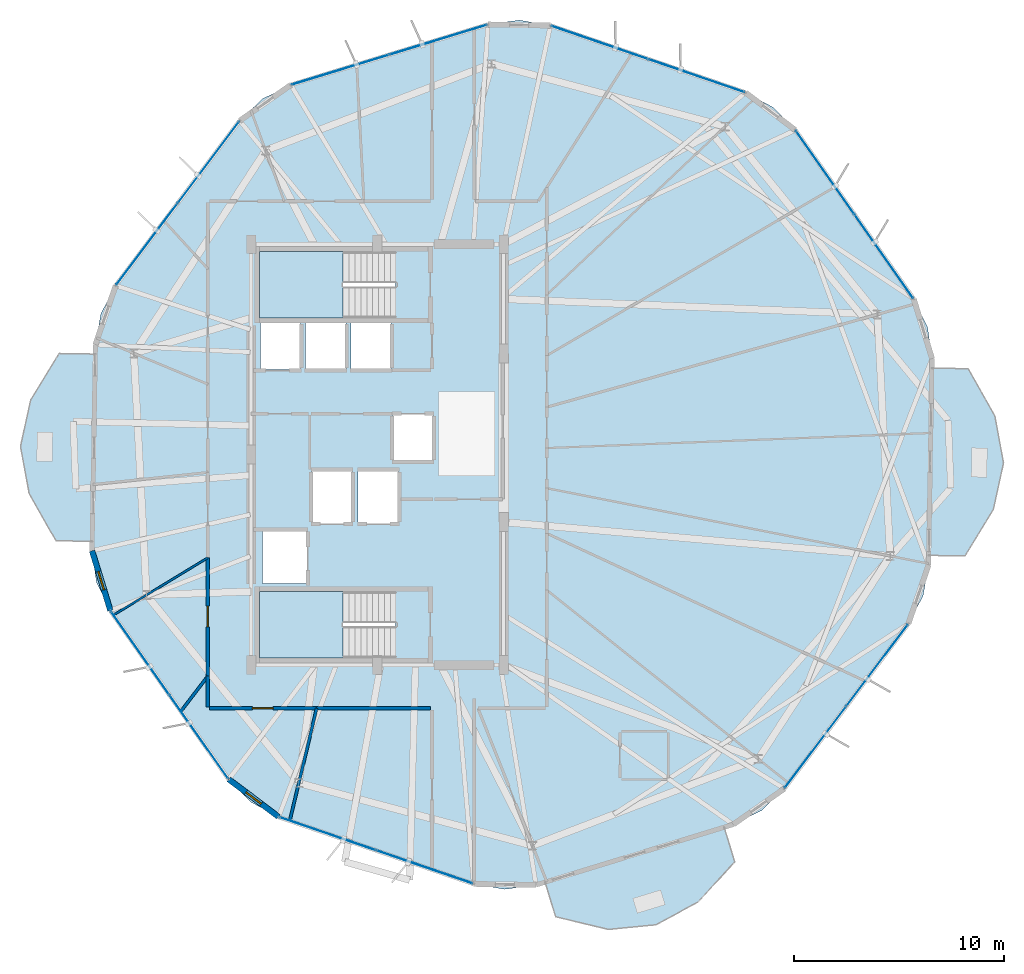
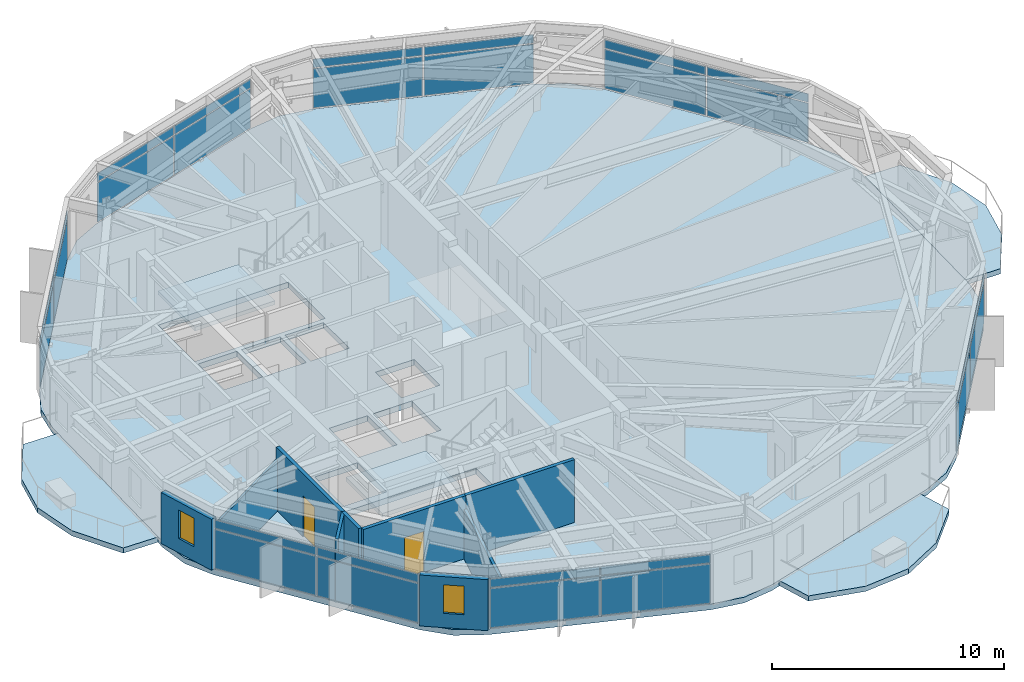
# One storey, part 22 of 29: 28 plates, 9 walls, 6 slabs, 2 doors, 2 windows, 4 openings, 9 elements without a shape of their own.
"""IFC4 building model written with IfcOpenShell, lengths in metres."""

from ifc_helpers import new_model, si_unit, direction, frame, frame_2d, origin, origin_2d, place, context, subcontext, project, spatial, polyline, rectangle, outline, extrude, material, layer, layer_set, type_object, element, fill, aggregate, save


model = new_model("IFC4")

# Units and contexts
model_context = context("Model", 3, precision=1e-05, world=origin(), true_north=direction((0.0, 1.0)))
body_context = subcontext(model_context, "Body", "Model", "MODEL_VIEW")
ifc_project = project(units=[si_unit("LENGTHUNIT", "METRE"), si_unit("AREAUNIT", "SQUARE_METRE"), si_unit("VOLUMEUNIT", "CUBIC_METRE"), si_unit("PLANEANGLEUNIT", "RADIAN"), si_unit("MASSUNIT", "GRAM", prefix="KILO")], contexts=[model_context])

# Site, building, storey
site_placement = place(None, origin())
site = spatial("IfcSite", under=ifc_project, at=site_placement, CompositionType="ELEMENT")
building_placement = place(site_placement, origin())
building = spatial("IfcBuilding", under=site, at=building_placement, Name="Soratama Intermodal Tower", CompositionType="ELEMENT")
storey_placement = place(building_placement, frame((0.0, 0.0, 226.60009765625)))
storey = spatial("IfcBuildingStorey", under=building, at=storey_placement, Name="L57", CompositionType="ELEMENT", Elevation=226.60009765625)

# Curtain wall, plates
ifc_material_1 = material(Name="Double-glazed aluminium curtain wall", Category="aluminium")
ifc_layer_1 = layer(ifc_material_1, 0.159912109375)
ifc_layer_set_1 = layer_set([ifc_layer_1], Name="Double-glazed aluminium curtain wall")
curtain_wall_type = type_object("IfcCurtainWallType", Name="CW-SYS-5", PredefinedType="NOTDEFINED", material=ifc_layer_set_1)
curtain_wall_1_placement = place(storey_placement, origin())
curtain_wall_1 = element("IfcCurtainWall", 1, at=curtain_wall_1_placement, inside=storey, type_object=curtain_wall_type, Name="L57 Faceted Curtain Wall F01", PredefinedType="NOTDEFINED")
ifc_material_2 = material(Name="Low-E laminated double glazing", Category="glass")
ifc_layer_2 = layer(ifc_material_2, 0.02001953125)
ifc_layer_set_2 = layer_set([ifc_layer_2], Name="Low-E laminated double glazing")
plate_type = type_object("IfcPlateType", Name="PT-CWP-5", PredefinedType="CURTAIN_PANEL", material=ifc_layer_set_2)
plate_1_placement = place(storey_placement, frame((53.760498046875, 43.0078125, 0.059814453125), z_axis=(0.0, 0.0, 1.0), x_axis=(-0.945746886218, 0.324904335473, 0.0)))
plate_1 = element("IfcPlate", 2, at=plate_1_placement, type_object=plate_type, Name="CW-5 panel 1.1", PredefinedType="CURTAIN_PANEL", context=body_context, shape_type="SweptSolid", body=[
    extrude(rectangle(XDim=4.808837890625, YDim=0.028076171875, at=origin_2d()), origin(), (0.0, 0.0, 1.0), 2.06005859375),
])
plate_2_placement = place(storey_placement, frame((53.760498046875, 43.0078125, 2.179931640625), z_axis=(0.0, 0.0, 1.0), x_axis=(-0.945746886218, 0.324904335473, 0.0)))
plate_2 = element("IfcPlate", 3, at=plate_2_placement, type_object=plate_type, Name="CW-5 panel 1.2", PredefinedType="CURTAIN_PANEL", context=body_context, shape_type="SweptSolid", body=[
    extrude(rectangle(XDim=4.808837890625, YDim=0.028076171875, at=origin_2d()), origin(), (0.0, 0.0, 1.0), 0.43896484375),
])
plate_3_placement = place(storey_placement, frame((49.156005859375, 44.589599609375, 0.059814453125), z_axis=(0.0, 0.0, 1.0), x_axis=(-0.945746886218, 0.324904335473, 0.0)))
plate_3 = element("IfcPlate", 4, at=plate_3_placement, type_object=plate_type, Name="CW-5 panel 2.1", PredefinedType="CURTAIN_PANEL", context=body_context, shape_type="SweptSolid", body=[
    extrude(rectangle(XDim=4.808837890625, YDim=0.028076171875, at=origin_2d()), origin(), (0.0, 0.0, 1.0), 2.06005859375),
])
plate_4_placement = place(storey_placement, frame((49.156005859375, 44.589599609375, 2.179931640625), z_axis=(0.0, 0.0, 1.0), x_axis=(-0.945746886218, 0.324904335473, 0.0)))
plate_4 = element("IfcPlate", 5, at=plate_4_placement, type_object=plate_type, Name="CW-5 panel 2.2", PredefinedType="CURTAIN_PANEL", context=body_context, shape_type="SweptSolid", body=[
    extrude(rectangle(XDim=4.808837890625, YDim=0.028076171875, at=origin_2d()), origin(), (0.0, 0.0, 1.0), 0.43896484375),
])
aggregate(curtain_wall_1, [plate_1, plate_2, plate_3, plate_4])

curtain_wall_2_placement = place(storey_placement, origin())
curtain_wall_2 = element("IfcCurtainWall", 6, at=curtain_wall_2_placement, inside=storey, type_object=curtain_wall_type, Name="L57 Faceted Curtain Wall F02", PredefinedType="NOTDEFINED")
plate_5_placement = place(storey_placement, frame((41.502685546875, 44.7177734375, 0.059814453125), z_axis=(0.0, 0.0, 1.0), x_axis=(-0.956099971841, -0.293040686331, 0.0)))
plate_5 = element("IfcPlate", 7, at=plate_5_placement, type_object=plate_type, Name="CW-5 panel 1.1", PredefinedType="CURTAIN_PANEL", context=body_context, shape_type="SweptSolid", body=[
    extrude(rectangle(XDim=4.808837890625, YDim=0.028076171875, at=origin_2d()), origin(), (0.0, 0.0, 1.0), 2.06005859375),
])
plate_6_placement = place(storey_placement, frame((41.502685546875, 44.7177734375, 2.179931640625), z_axis=(0.0, 0.0, 1.0), x_axis=(-0.956099971841, -0.293040686331, 0.0)))
plate_6 = element("IfcPlate", 8, at=plate_6_placement, type_object=plate_type, Name="CW-5 panel 1.2", PredefinedType="CURTAIN_PANEL", context=body_context, shape_type="SweptSolid", body=[
    extrude(rectangle(XDim=4.808837890625, YDim=0.028076171875, at=origin_2d()), origin(), (0.0, 0.0, 1.0), 0.43896484375),
])
plate_7_placement = place(storey_placement, frame((36.84765625, 43.291015625, 0.059814453125), z_axis=(0.0, 0.0, 1.0), x_axis=(-0.956099971841, -0.293040686331, 0.0)))
plate_7 = element("IfcPlate", 9, at=plate_7_placement, type_object=plate_type, Name="CW-5 panel 2.1", PredefinedType="CURTAIN_PANEL", context=body_context, shape_type="SweptSolid", body=[
    extrude(rectangle(XDim=4.808837890625, YDim=0.028076171875, at=origin_2d()), origin(), (0.0, 0.0, 1.0), 2.06005859375),
])
plate_8_placement = place(storey_placement, frame((36.84765625, 43.291015625, 2.179931640625), z_axis=(0.0, 0.0, 1.0), x_axis=(-0.956099971841, -0.293040686331, 0.0)))
plate_8 = element("IfcPlate", 10, at=plate_8_placement, type_object=plate_type, Name="CW-5 panel 2.2", PredefinedType="CURTAIN_PANEL", context=body_context, shape_type="SweptSolid", body=[
    extrude(rectangle(XDim=4.808837890625, YDim=0.028076171875, at=origin_2d()), origin(), (0.0, 0.0, 1.0), 0.43896484375),
])
aggregate(curtain_wall_2, [plate_5, plate_6, plate_7, plate_8])

curtain_wall_3_placement = place(storey_placement, origin())
curtain_wall_3 = element("IfcCurtainWall", 11, at=curtain_wall_3_placement, inside=storey, type_object=curtain_wall_type, Name="L57 Faceted Curtain Wall F03", PredefinedType="NOTDEFINED")
plate_9_placement = place(storey_placement, frame((30.580810546875, 38.896484375, 0.059814453125), z_axis=(0.0, 0.0, 1.0), x_axis=(-0.601261585985, -0.799052254373, 0.0)))
plate_9 = element("IfcPlate", 12, at=plate_9_placement, type_object=plate_type, Name="CW-5 panel 1.1", PredefinedType="CURTAIN_PANEL", context=body_context, shape_type="SweptSolid", body=[
    extrude(rectangle(XDim=4.808837890625, YDim=0.028076171875, at=origin_2d()), origin(), (0.0, 0.0, 1.0), 2.06005859375),
])
plate_10_placement = place(storey_placement, frame((30.580810546875, 38.896484375, 2.179931640625), z_axis=(0.0, 0.0, 1.0), x_axis=(-0.601261585985, -0.799052254373, 0.0)))
plate_10 = element("IfcPlate", 13, at=plate_10_placement, type_object=plate_type, Name="CW-5 panel 1.2", PredefinedType="CURTAIN_PANEL", context=body_context, shape_type="SweptSolid", body=[
    extrude(rectangle(XDim=4.808837890625, YDim=0.028076171875, at=origin_2d()), origin(), (0.0, 0.0, 1.0), 0.43896484375),
])
plate_11_placement = place(storey_placement, frame((27.6533203125, 35.006103515625, 0.059814453125), z_axis=(0.0, 0.0, 1.0), x_axis=(-0.601261585985, -0.799052254373, 0.0)))
plate_11 = element("IfcPlate", 14, at=plate_11_placement, type_object=plate_type, Name="CW-5 panel 2.1", PredefinedType="CURTAIN_PANEL", context=body_context, shape_type="SweptSolid", body=[
    extrude(rectangle(XDim=4.808837890625, YDim=0.028076171875, at=origin_2d()), origin(), (0.0, 0.0, 1.0), 2.06005859375),
])
plate_12_placement = place(storey_placement, frame((27.6533203125, 35.006103515625, 2.179931640625), z_axis=(0.0, 0.0, 1.0), x_axis=(-0.601261585985, -0.799052254373, 0.0)))
plate_12 = element("IfcPlate", 15, at=plate_12_placement, type_object=plate_type, Name="CW-5 panel 2.2", PredefinedType="CURTAIN_PANEL", context=body_context, shape_type="SweptSolid", body=[
    extrude(rectangle(XDim=4.808837890625, YDim=0.028076171875, at=origin_2d()), origin(), (0.0, 0.0, 1.0), 0.43896484375),
])
aggregate(curtain_wall_3, [plate_9, plate_10, plate_11, plate_12])

curtain_wall_4_placement = place(storey_placement, origin())
curtain_wall_4 = element("IfcCurtainWall", 16, at=curtain_wall_4_placement, inside=storey, type_object=curtain_wall_type, Name="L57 Faceted Curtain Wall F05", PredefinedType="NOTDEFINED")
plate_13_placement = place(storey_placement, frame((27.327880859375, 15.580810546875, 0.059814453125), z_axis=(0.0, 0.0, 1.0), x_axis=(0.574149886653, -0.818750210782, 0.0)))
plate_13 = element("IfcPlate", 17, at=plate_13_placement, type_object=plate_type, Name="CW-5 panel 1.1", PredefinedType="CURTAIN_PANEL", context=body_context, shape_type="SweptSolid", body=[
    extrude(rectangle(XDim=4.808837890625, YDim=0.028076171875, at=origin_2d()), origin(), (0.0, 0.0, 1.0), 2.06005859375),
])
plate_14_placement = place(storey_placement, frame((27.327880859375, 15.580810546875, 2.179931640625), z_axis=(0.0, 0.0, 1.0), x_axis=(0.574149886653, -0.818750210782, 0.0)))
plate_14 = element("IfcPlate", 18, at=plate_14_placement, type_object=plate_type, Name="CW-5 panel 1.2", PredefinedType="CURTAIN_PANEL", context=body_context, shape_type="SweptSolid", body=[
    extrude(rectangle(XDim=4.808837890625, YDim=0.028076171875, at=origin_2d()), origin(), (0.0, 0.0, 1.0), 0.43896484375),
])
plate_15_placement = place(storey_placement, frame((30.123291015625, 11.594482421875, 0.059814453125), z_axis=(0.0, 0.0, 1.0), x_axis=(0.574149886653, -0.818750210782, 0.0)))
plate_15 = element("IfcPlate", 19, at=plate_15_placement, type_object=plate_type, Name="CW-5 panel 2.1", PredefinedType="CURTAIN_PANEL", context=body_context, shape_type="SweptSolid", body=[
    extrude(rectangle(XDim=4.808837890625, YDim=0.028076171875, at=origin_2d()), origin(), (0.0, 0.0, 1.0), 2.06005859375),
])
plate_16_placement = place(storey_placement, frame((30.123291015625, 11.594482421875, 2.179931640625), z_axis=(0.0, 0.0, 1.0), x_axis=(0.574149886653, -0.818750210782, 0.0)))
plate_16 = element("IfcPlate", 20, at=plate_16_placement, type_object=plate_type, Name="CW-5 panel 2.2", PredefinedType="CURTAIN_PANEL", context=body_context, shape_type="SweptSolid", body=[
    extrude(rectangle(XDim=4.808837890625, YDim=0.028076171875, at=origin_2d()), origin(), (0.0, 0.0, 1.0), 0.43896484375),
])
aggregate(curtain_wall_4, [plate_13, plate_14, plate_15, plate_16])

curtain_wall_5_placement = place(storey_placement, origin())
curtain_wall_5 = element("IfcCurtainWall", 21, at=curtain_wall_5_placement, inside=storey, type_object=curtain_wall_type, Name="L57 Faceted Curtain Wall F06", PredefinedType="NOTDEFINED")
plate_17_placement = place(storey_placement, frame((36.239501953125, 6.9921875, 0.059814453125), z_axis=(0.0, 0.0, 1.0), x_axis=(0.945746886218, -0.324904335473, 0.0)))
plate_17 = element("IfcPlate", 22, at=plate_17_placement, type_object=plate_type, Name="CW-5 panel 1.1", PredefinedType="CURTAIN_PANEL", context=body_context, shape_type="SweptSolid", body=[
    extrude(rectangle(XDim=4.808837890625, YDim=0.028076171875, at=origin_2d()), origin(), (0.0, 0.0, 1.0), 2.06005859375),
])
plate_18_placement = place(storey_placement, frame((36.239501953125, 6.9921875, 2.179931640625), z_axis=(0.0, 0.0, 1.0), x_axis=(0.945746886218, -0.324904335473, 0.0)))
plate_18 = element("IfcPlate", 23, at=plate_18_placement, type_object=plate_type, Name="CW-5 panel 1.2", PredefinedType="CURTAIN_PANEL", context=body_context, shape_type="SweptSolid", body=[
    extrude(rectangle(XDim=4.808837890625, YDim=0.028076171875, at=origin_2d()), origin(), (0.0, 0.0, 1.0), 0.43896484375),
])
plate_19_placement = place(storey_placement, frame((40.843994140625, 5.410400390625, 0.059814453125), z_axis=(0.0, 0.0, 1.0), x_axis=(0.945746886218, -0.324904335473, 0.0)))
plate_19 = element("IfcPlate", 24, at=plate_19_placement, type_object=plate_type, Name="CW-5 panel 2.1", PredefinedType="CURTAIN_PANEL", context=body_context, shape_type="SweptSolid", body=[
    extrude(rectangle(XDim=4.808837890625, YDim=0.028076171875, at=origin_2d()), origin(), (0.0, 0.0, 1.0), 2.06005859375),
])
plate_20_placement = place(storey_placement, frame((40.843994140625, 5.410400390625, 2.179931640625), z_axis=(0.0, 0.0, 1.0), x_axis=(0.945746886218, -0.324904335473, 0.0)))
plate_20 = element("IfcPlate", 25, at=plate_20_placement, type_object=plate_type, Name="CW-5 panel 2.2", PredefinedType="CURTAIN_PANEL", context=body_context, shape_type="SweptSolid", body=[
    extrude(rectangle(XDim=4.808837890625, YDim=0.028076171875, at=origin_2d()), origin(), (0.0, 0.0, 1.0), 0.43896484375),
])
aggregate(curtain_wall_5, [plate_17, plate_18, plate_19, plate_20])

curtain_wall_6_placement = place(storey_placement, origin())
curtain_wall_6 = element("IfcCurtainWall", 26, at=curtain_wall_6_placement, inside=storey, type_object=curtain_wall_type, Name="L57 Faceted Curtain Wall F08", PredefinedType="NOTDEFINED")
plate_21_placement = place(storey_placement, frame((59.419189453125, 11.103515625, 0.059814453125), z_axis=(0.0, 0.0, 1.0), x_axis=(0.601261585985, 0.799052254373, 0.0)))
plate_21 = element("IfcPlate", 27, at=plate_21_placement, type_object=plate_type, Name="CW-5 panel 1.1", PredefinedType="CURTAIN_PANEL", context=body_context, shape_type="SweptSolid", body=[
    extrude(rectangle(XDim=4.808837890625, YDim=0.028076171875, at=origin_2d()), origin(), (0.0, 0.0, 1.0), 2.06005859375),
])
plate_22_placement = place(storey_placement, frame((59.419189453125, 11.103515625, 2.179931640625), z_axis=(0.0, 0.0, 1.0), x_axis=(0.601261585985, 0.799052254373, 0.0)))
plate_22 = element("IfcPlate", 28, at=plate_22_placement, type_object=plate_type, Name="CW-5 panel 1.2", PredefinedType="CURTAIN_PANEL", context=body_context, shape_type="SweptSolid", body=[
    extrude(rectangle(XDim=4.808837890625, YDim=0.028076171875, at=origin_2d()), origin(), (0.0, 0.0, 1.0), 0.43896484375),
])
plate_23_placement = place(storey_placement, frame((62.3466796875, 14.993896484375, 0.059814453125), z_axis=(0.0, 0.0, 1.0), x_axis=(0.601261585985, 0.799052254373, 0.0)))
plate_23 = element("IfcPlate", 29, at=plate_23_placement, type_object=plate_type, Name="CW-5 panel 2.1", PredefinedType="CURTAIN_PANEL", context=body_context, shape_type="SweptSolid", body=[
    extrude(rectangle(XDim=4.808837890625, YDim=0.028076171875, at=origin_2d()), origin(), (0.0, 0.0, 1.0), 2.06005859375),
])
plate_24_placement = place(storey_placement, frame((62.3466796875, 14.993896484375, 2.179931640625), z_axis=(0.0, 0.0, 1.0), x_axis=(0.601261585985, 0.799052254373, 0.0)))
plate_24 = element("IfcPlate", 30, at=plate_24_placement, type_object=plate_type, Name="CW-5 panel 2.2", PredefinedType="CURTAIN_PANEL", context=body_context, shape_type="SweptSolid", body=[
    extrude(rectangle(XDim=4.808837890625, YDim=0.028076171875, at=origin_2d()), origin(), (0.0, 0.0, 1.0), 0.43896484375),
])
aggregate(curtain_wall_6, [plate_21, plate_22, plate_23, plate_24])

curtain_wall_7_placement = place(storey_placement, origin())
curtain_wall_7 = element("IfcCurtainWall", 31, at=curtain_wall_7_placement, inside=storey, type_object=curtain_wall_type, Name="L57 Faceted Curtain Wall F10", PredefinedType="NOTDEFINED")
plate_25_placement = place(storey_placement, frame((62.672119140625, 34.419189453125, 0.059814453125), z_axis=(0.0, 0.0, 1.0), x_axis=(-0.574149886653, 0.818750210782, 0.0)))
plate_25 = element("IfcPlate", 32, at=plate_25_placement, type_object=plate_type, Name="CW-5 panel 1.1", PredefinedType="CURTAIN_PANEL", context=body_context, shape_type="SweptSolid", body=[
    extrude(rectangle(XDim=4.808837890625, YDim=0.028076171875, at=origin_2d()), origin(), (0.0, 0.0, 1.0), 2.06005859375),
])
plate_26_placement = place(storey_placement, frame((62.672119140625, 34.419189453125, 2.179931640625), z_axis=(0.0, 0.0, 1.0), x_axis=(-0.574149886653, 0.818750210782, 0.0)))
plate_26 = element("IfcPlate", 33, at=plate_26_placement, type_object=plate_type, Name="CW-5 panel 1.2", PredefinedType="CURTAIN_PANEL", context=body_context, shape_type="SweptSolid", body=[
    extrude(rectangle(XDim=4.808837890625, YDim=0.028076171875, at=origin_2d()), origin(), (0.0, 0.0, 1.0), 0.43896484375),
])
plate_27_placement = place(storey_placement, frame((59.876708984375, 38.405517578125, 0.059814453125), z_axis=(0.0, 0.0, 1.0), x_axis=(-0.574149886653, 0.818750210782, 0.0)))
plate_27 = element("IfcPlate", 34, at=plate_27_placement, type_object=plate_type, Name="CW-5 panel 2.1", PredefinedType="CURTAIN_PANEL", context=body_context, shape_type="SweptSolid", body=[
    extrude(rectangle(XDim=4.808837890625, YDim=0.028076171875, at=origin_2d()), origin(), (0.0, 0.0, 1.0), 2.06005859375),
])
plate_28_placement = place(storey_placement, frame((59.876708984375, 38.405517578125, 2.179931640625), z_axis=(0.0, 0.0, 1.0), x_axis=(-0.574149886653, 0.818750210782, 0.0)))
plate_28 = element("IfcPlate", 35, at=plate_28_placement, type_object=plate_type, Name="CW-5 panel 2.2", PredefinedType="CURTAIN_PANEL", context=body_context, shape_type="SweptSolid", body=[
    extrude(rectangle(XDim=4.808837890625, YDim=0.028076171875, at=origin_2d()), origin(), (0.0, 0.0, 1.0), 0.43896484375),
])
aggregate(curtain_wall_7, [plate_25, plate_26, plate_27, plate_28])

# Slabs
ifc_material_3 = material(Name="Concrete f'c 42 MPa", Category="concrete")
ifc_layer_3 = layer(ifc_material_3, 0.27001953125)
ifc_layer_set_3 = layer_set([ifc_layer_3], Name="Concrete f'c 42 MPa")
slab_type_1 = type_object("IfcSlabType", Name="SL-EXT-BAL1", PredefinedType="FLOOR", material=ifc_layer_set_3)
slab_1_placement = place(storey_placement, frame((0.0, 0.0, -0.27001953125)))
element("IfcSlab", 36, at=slab_1_placement, inside=storey, type_object=slab_type_1, Name="L57 Planted Balcony East 1", PredefinedType="FLOOR", context=body_context, shape_type="SweptSolid", body=[
    extrude(outline(polyline([(64.7998046875, 20.21875), (64.948974609375, 29.115234375), (66.668701171875, 29.086181640625), (67.942138671875, 26.84033203125), (68.353759765625, 24.608642578125), (67.867431640625, 22.39208984375), (66.51953125, 20.18994140625), (64.7998046875, 20.21875)])), origin(), (0.0, 0.0, 1.0), 0.27001953125),
])
slab_2_placement = place(storey_placement, frame((0.0, 0.0, -0.27001953125)))
element("IfcSlab", 37, at=slab_2_placement, inside=storey, type_object=slab_type_1, Name="L57 Planted Balcony West 2", PredefinedType="FLOOR", context=body_context, shape_type="SweptSolid", body=[
    extrude(outline(polyline([(25.2001953125, 29.78125), (25.051025390625, 20.884765625), (23.331298828125, 20.913818359375), (22.057861328125, 23.15966796875), (21.646240234375, 25.391357421875), (22.132568359375, 27.60791015625), (23.48046875, 29.81005859375), (25.2001953125, 29.78125)])), origin(), (0.0, 0.0, 1.0), 0.27001953125),
])
slab_3_placement = place(storey_placement, frame((0.0, 0.0, -0.27001953125)))
element("IfcSlab", 38, at=slab_3_placement, inside=storey, type_object=slab_type_1, Name="L57 Planted Balcony South 3", PredefinedType="FLOOR", context=body_context, shape_type="SweptSolid", body=[
    extrude(outline(polyline([(46.5712890625, 4.69189453125), (55.078369140625, 7.29931640625), (55.582275390625, 5.65478515625), (53.839599609375, 3.74951171875), (51.844482421875, 2.668212890625), (49.586181640625, 2.44580078125), (47.0751953125, 3.04736328125), (46.5712890625, 4.69189453125)])), origin(), (0.0, 0.0, 1.0), 0.27001953125),
])

# Stair, slab
ifc_material_4 = material(Name="Concrete f'c 42 MPa", Category="concrete")
stair_type = type_object("IfcStairType", Name="ST-CORE-DOGLEG", PredefinedType="HALF_TURN_STAIR", material=ifc_material_4)
stair_1_placement = place(storey_placement, origin())
stair_1 = element("IfcStair", 39, at=stair_1_placement, inside=storey, type_object=stair_type, Name="L57 ST-1", PredefinedType="HALF_TURN_STAIR")
ifc_material_5 = material(Name="Concrete f'c 42 MPa", Category="concrete")
ifc_layer_4 = layer(ifc_material_5, 0.219970703125)
ifc_layer_set_4 = layer_set([ifc_layer_4], Name="Concrete f'c 42 MPa")
slab_type_2 = type_object("IfcSlabType", Name="SL-STAIR-LAND", PredefinedType="LANDING", material=ifc_layer_set_4)
slab_4_placement = place(storey_placement, frame((0.0, 0.0, 1.599853515625)))
slab_4 = element("IfcSlab", 40, at=slab_4_placement, type_object=slab_type_2, Name="ST-1 landing 1", PredefinedType="LANDING", context=body_context, shape_type="SweptSolid", body=[
    extrude(outline(polyline([(36.97998046875, 18.5), (33.0, 18.5), (33.0, 15.35009765625), (36.97998046875, 15.35009765625), (36.97998046875, 18.5)])), origin(), (0.0, 0.0, 1.0), 0.199951171875),
])
aggregate(stair_1, [slab_4])

stair_2_placement = place(storey_placement, origin())
stair_2 = element("IfcStair", 41, at=stair_2_placement, inside=storey, type_object=stair_type, Name="L57 ST-2", PredefinedType="HALF_TURN_STAIR")
slab_5_placement = place(storey_placement, frame((0.0, 0.0, 1.599853515625)))
slab_5 = element("IfcSlab", 42, at=slab_5_placement, type_object=slab_type_2, Name="ST-2 landing 1", PredefinedType="LANDING", context=body_context, shape_type="SweptSolid", body=[
    extrude(outline(polyline([(36.97998046875, 34.64990234375), (33.0, 34.64990234375), (33.0, 31.5), (36.97998046875, 31.5), (36.97998046875, 34.64990234375)])), origin(), (0.0, 0.0, 1.0), 0.199951171875),
])
aggregate(stair_2, [slab_5])

# Slab
ifc_material_6 = material(Name="Concrete f'c 42 MPa", Category="concrete")
ifc_layer_5 = layer(ifc_material_6, 0.280029296875)
ifc_layer_set_5 = layer_set([ifc_layer_5], Name="Concrete f'c 42 MPa")
slab_type_3 = type_object("IfcSlabType", Name="SL-TWR-280", PredefinedType="FLOOR", material=ifc_layer_set_5)
slab_6_placement = place(storey_placement, frame((0.0, 0.0, -0.300048828125)))
element("IfcSlab", 43, at=slab_6_placement, inside=storey, type_object=slab_type_3, Name="L57 Structural Floor Slab", PredefinedType="FLOOR", context=body_context, shape_type="SweptSolid", body=[
    extrude(outline(polyline([(58.461669921875, 40.42333984375), (57.417724609375, 41.5029296875), (56.09130859375, 42.20703125), (46.8251953125, 45.390380859375), (45.345947265625, 45.650146484375), (43.85888671875, 45.43994140625), (34.491455078125, 42.56884765625), (33.14208984375, 41.90966796875), (32.0625, 40.86572265625), (26.171630859375, 33.036865234375), (25.467529296875, 31.710205078125), (25.207763671875, 30.231201171875), (25.043701171875, 20.434814453125), (25.253662109375, 18.947998046875), (25.9130859375, 17.598388671875), (31.538330078125, 9.57666015625), (32.582275390625, 8.4970703125), (33.90869140625, 7.79296875), (43.1748046875, 4.609619140625), (44.654052734375, 4.349853515625), (46.14111328125, 4.56005859375), (55.508544921875, 7.43115234375), (56.85791015625, 8.09033203125), (57.9375, 9.13427734375), (63.828369140625, 16.963134765625), (64.532470703125, 18.289794921875), (64.792236328125, 19.768798828125), (64.956298828125, 29.565185546875), (64.746337890625, 31.052001953125), (64.0869140625, 32.401611328125), (58.461669921875, 40.42333984375)]), holes=[polyline([(33.0, 18.5), (33.0, 15.35009765625), (39.47509765625, 15.35009765625), (39.47509765625, 18.5), (33.0, 18.5)]), polyline([(35.260009765625, 21.409912109375), (33.139892578125, 21.409912109375), (33.139892578125, 18.889892578125), (35.260009765625, 18.889892578125), (35.260009765625, 21.409912109375)]), polyline([(37.409912109375, 24.260009765625), (35.489990234375, 24.260009765625), (35.489990234375, 21.739990234375), (37.409912109375, 21.739990234375), (37.409912109375, 24.260009765625)]), polyline([(39.610107421875, 24.260009765625), (37.68994140625, 24.260009765625), (37.68994140625, 21.739990234375), (39.610107421875, 21.739990234375), (39.610107421875, 24.260009765625)]), polyline([(41.260009765625, 26.909912109375), (39.340087890625, 26.909912109375), (39.340087890625, 24.68994140625), (41.260009765625, 24.68994140625), (41.260009765625, 26.909912109375)]), polyline([(34.9599609375, 31.260009765625), (33.0400390625, 31.260009765625), (33.0400390625, 29.0400390625), (34.9599609375, 29.0400390625), (34.9599609375, 31.260009765625)]), polyline([(37.110107421875, 31.260009765625), (35.18994140625, 31.260009765625), (35.18994140625, 29.0400390625), (37.110107421875, 29.0400390625), (37.110107421875, 31.260009765625)]), polyline([(39.260009765625, 29.0400390625), (39.260009765625, 31.260009765625), (37.340087890625, 31.260009765625), (37.340087890625, 29.0400390625), (39.260009765625, 29.0400390625)]), polyline([(39.47509765625, 34.64990234375), (33.0, 34.64990234375), (33.0, 31.5), (39.47509765625, 31.5), (39.47509765625, 34.64990234375)])]), origin(), (0.0, 0.0, 1.0), 0.300048828125),
])

# Wall, opening, window
ifc_material_7 = material(Name="Concrete f'c 42 MPa", Category="concrete")
ifc_layer_6 = layer(ifc_material_7, 0.27001953125)
ifc_layer_set_6 = layer_set([ifc_layer_6], Name="Concrete f'c 42 MPa")
wall_type_1 = type_object("IfcWallType", Name="EW-CRN-270", PredefinedType="SOLIDWALL", material=ifc_layer_set_6)
wall_1_placement = place(storey_placement, frame((25.043701171875, 20.434814453125, 0.0), z_axis=(0.0, 0.0, 1.0), x_axis=(0.293050545602, -0.95609694996, 0.0)))
wall_1 = element("IfcWall", 44, at=wall_1_placement, inside=storey, type_object=wall_type_1, Name="L57 Corner Closure Wall 04", PredefinedType="SOLIDWALL", context=body_context, shape_type="SweptSolid", body=[
    extrude(rectangle(XDim=2.966552734375, YDim=0.27001953125, at=frame_2d((1.4833984375, 0.0))), origin(), (0.0, 0.0, 1.0), 2.678955078125),
])
opening_1_placement = place(wall_1_placement, frame((1.033203125, 0.0, 0.75)))
opening_1 = element("IfcOpeningElement", 45, at=opening_1_placement, cuts=wall_1, Name="Opening WN-6", PredefinedType="OPENING", context=body_context, shape_type="SweptSolid", body=[
    extrude(rectangle(XDim=0.89990234375, YDim=1.5, at=frame_2d((0.449951171875, 0.75))), frame((0.0, 0.14501953125, 0.0), z_axis=(0.0, -1.0, 0.0), x_axis=(1.0, 0.0, 0.0)), (0.0, 0.0, 1.0), 0.2900390625),
])
ifc_material_8 = material(Name="Double-glazed aluminium window", Category="aluminium")
window_type = type_object("IfcWindowType", Name="WN-FAC-900", PartitioningType="SINGLE_PANEL", PredefinedType="WINDOW", material=ifc_material_8)
window_1_placement = place(opening_1_placement, origin())
window_1 = element("IfcWindow", 46, at=window_1_placement, inside=storey, type_object=window_type, Name="L57 Corner Window 04", OverallHeight=1.5, OverallWidth=0.89990234375, PartitioningType="SINGLE_PANEL", PredefinedType="WINDOW", context=body_context, shape_type="SweptSolid", body=[
    extrude(rectangle(XDim=0.89990234375, YDim=1.5, at=frame_2d((0.449951171875, 0.75))), frame((0.0, 0.030029296875, 0.0), z_axis=(0.0, -1.0, 0.0), x_axis=(1.0, 0.0, 0.0)), (0.0, 0.0, 1.0), 0.06005859375),
])
fill(opening_1, window_1)

wall_2_placement = place(storey_placement, frame((31.538330078125, 9.57666015625, 0.0), z_axis=(0.0, 0.0, 1.0), x_axis=(0.799041019951, -0.601276515786, 0.0)))
wall_2 = element("IfcWall", 47, at=wall_2_placement, inside=storey, type_object=wall_type_1, Name="L57 Corner Closure Wall 05", PredefinedType="SOLIDWALL", context=body_context, shape_type="SweptSolid", body=[
    extrude(rectangle(XDim=2.966552734375, YDim=0.27001953125, at=frame_2d((1.4833984375, 0.0))), origin(), (0.0, 0.0, 1.0), 2.678955078125),
])
opening_2_placement = place(wall_2_placement, frame((1.033203125, 0.0, 0.75)))
opening_2 = element("IfcOpeningElement", 48, at=opening_2_placement, cuts=wall_2, Name="Opening WN-6", PredefinedType="OPENING", context=body_context, shape_type="SweptSolid", body=[
    extrude(rectangle(XDim=0.89990234375, YDim=1.5, at=frame_2d((0.449951171875, 0.75))), frame((0.0, 0.14501953125, 0.0), z_axis=(0.0, -1.0, 0.0), x_axis=(1.0, 0.0, 0.0)), (0.0, 0.0, 1.0), 0.2900390625),
])
window_2_placement = place(opening_2_placement, origin())
window_2 = element("IfcWindow", 49, at=window_2_placement, inside=storey, type_object=window_type, Name="L57 Corner Window 05", OverallHeight=1.5, OverallWidth=0.89990234375, PartitioningType="SINGLE_PANEL", PredefinedType="WINDOW", context=body_context, shape_type="SweptSolid", body=[
    extrude(rectangle(XDim=0.89990234375, YDim=1.5, at=frame_2d((0.449951171875, 0.75))), frame((0.0, 0.030029296875, 0.0), z_axis=(0.0, -1.0, 0.0), x_axis=(1.0, 0.0, 0.0)), (0.0, 0.0, 1.0), 0.06005859375),
])
fill(opening_2, window_2)

# Wall, opening, door
ifc_material_9 = material(Name="Fire-rated gypsum stud partition", Category="concrete")
ifc_layer_7 = layer(ifc_material_9, 0.169921875)
ifc_layer_set_7 = layer_set([ifc_layer_7], Name="Fire-rated gypsum stud partition")
wall_type_2 = type_object("IfcWallType", Name="IW-PART-R170", PredefinedType="PARTITIONING", material=ifc_layer_set_7)
wall_3_placement = place(storey_placement, frame((30.550048828125, 14.485107421875, 0.0), z_axis=(0.0, 0.0, 1.0), x_axis=(0.0, 1.0, 0.0)))
wall_3 = element("IfcWall", 50, at=wall_3_placement, inside=storey, type_object=wall_type_2, Name="L57 Partition W-L57-TP016", PredefinedType="PARTITIONING", context=body_context, shape_type="SweptSolid", body=[
    extrude(rectangle(XDim=5.620849609375, YDim=0.169921875, at=frame_2d((2.810546875, 0.0))), origin(), (0.0, 0.0, 1.0), 3.2998046875),
])
opening_3_placement = place(wall_3_placement, frame((2.3359375, 0.0, 0.0)))
opening_3 = element("IfcOpeningElement", 51, at=opening_3_placement, cuts=wall_3, Name="Opening ID-5", PredefinedType="OPENING", context=body_context, shape_type="SweptSolid", body=[
    extrude(rectangle(XDim=0.97998046875, YDim=2.14990234375, at=frame_2d((0.489990234375, 1.074951171875))), frame((0.0, 0.094970703125, 0.0), z_axis=(0.0, -1.0, 0.0), x_axis=(1.0, 0.0, 0.0)), (0.0, 0.0, 1.0), 0.18994140625),
])
ifc_material_10 = material(Name="Solid hardwood acoustic door", Category="wood")
door_type = type_object("IfcDoorType", Name="DR-OFF-980", OperationType="NOTDEFINED", PredefinedType="DOOR", material=ifc_material_10)
door_1_placement = place(opening_3_placement, origin())
door_1 = element("IfcDoor", 52, at=door_1_placement, inside=storey, type_object=door_type, Name="L57 Door D-L57-TP005", OperationType="SINGLE_SWING_RIGHT", OverallHeight=2.14990234375, OverallWidth=0.97998046875, PredefinedType="DOOR", context=body_context, shape_type="SweptSolid", body=[
    extrude(rectangle(XDim=0.97998046875, YDim=2.14990234375, at=frame_2d((0.489990234375, 1.074951171875))), frame((0.0, 0.02490234375, 0.0), z_axis=(0.0, -1.0, 0.0), x_axis=(1.0, 0.0, 0.0)), (0.0, 0.0, 1.0), 0.050048828125),
])
fill(opening_3, door_1)

# Wall
wall_4_placement = place(storey_placement, frame((41.1298828125, 12.949951171875, 0.0), z_axis=(0.0, 0.0, 1.0), x_axis=(-1.0, 0.0, 0.0)))
element("IfcWall", 53, at=wall_4_placement, inside=storey, type_object=wall_type_2, Name="L57 Partition W-L57-TP021", PredefinedType="PARTITIONING", context=body_context, shape_type="SweptSolid", body=[
    extrude(rectangle(XDim=5.410888671875, YDim=0.169921875, at=frame_2d((2.70556640625, 0.0))), origin(), (0.0, 0.0, 1.0), 3.2998046875),
])

# Wall, opening, door
wall_5_placement = place(storey_placement, frame((35.718994140625, 12.949951171875, 0.0), z_axis=(0.0, 0.0, 1.0), x_axis=(-1.0, 0.0, 0.0)))
wall_5 = element("IfcWall", 54, at=wall_5_placement, inside=storey, type_object=wall_type_2, Name="L57 Partition W-L57-TP023", PredefinedType="PARTITIONING", context=body_context, shape_type="SweptSolid", body=[
    extrude(rectangle(XDim=5.098876953125, YDim=0.169921875, at=frame_2d((2.54931640625, 0.0))), origin(), (0.0, 0.0, 1.0), 3.2998046875),
])
opening_4_placement = place(wall_5_placement, frame((2.074951171875, 0.0, 0.0)))
opening_4 = element("IfcOpeningElement", 55, at=opening_4_placement, cuts=wall_5, Name="Opening ID-5", PredefinedType="OPENING", context=body_context, shape_type="SweptSolid", body=[
    extrude(rectangle(XDim=0.97998046875, YDim=2.14990234375, at=frame_2d((0.489990234375, 1.074951171875))), frame((0.0, 0.094970703125, 0.0), z_axis=(0.0, -1.0, 0.0), x_axis=(1.0, 0.0, 0.0)), (0.0, 0.0, 1.0), 0.18994140625),
])
door_2_placement = place(opening_4_placement, origin())
door_2 = element("IfcDoor", 56, at=door_2_placement, inside=storey, type_object=door_type, Name="L57 Door D-L57-TP008", OperationType="SINGLE_SWING_LEFT", OverallHeight=2.14990234375, OverallWidth=0.97998046875, PredefinedType="DOOR", context=body_context, shape_type="SweptSolid", body=[
    extrude(rectangle(XDim=0.97998046875, YDim=2.14990234375, at=frame_2d((0.489990234375, 1.074951171875))), frame((0.0, 0.02490234375, 0.0), z_axis=(0.0, -1.0, 0.0), x_axis=(1.0, 0.0, 0.0)), (0.0, 0.0, 1.0), 0.050048828125),
])
fill(opening_4, door_2)

# Walls
wall_6_placement = place(storey_placement, frame((30.550048828125, 13.02001953125, 0.0), z_axis=(0.0, 0.0, 1.0), x_axis=(0.0, 1.0, 0.0)))
element("IfcWall", 57, at=wall_6_placement, inside=storey, type_object=wall_type_2, Name="L57 Partition W-L57-TP053", PredefinedType="PARTITIONING", context=body_context, shape_type="SweptSolid", body=[
    extrude(rectangle(XDim=1.465087890625, YDim=0.169921875, at=frame_2d((0.732421875, 0.0))), origin(), (0.0, 0.0, 1.0), 3.2998046875),
])
ifc_material_11 = material(Name="Fire-rated gypsum stud partition", Category="concrete")
ifc_layer_8 = layer(ifc_material_11, 0.10009765625)
ifc_layer_set_8 = layer_set([ifc_layer_8], Name="Fire-rated gypsum stud partition")
wall_type_3 = type_object("IfcWallType", Name="IW-PART-S100", PredefinedType="PARTITIONING", material=ifc_layer_set_8)
wall_7_placement = place(storey_placement, frame((30.550048828125, 20.10595703125, 0.0), z_axis=(0.0, 0.0, 1.0), x_axis=(-0.854589153775, -0.519304706554, 0.0)))
element("IfcWall", 58, at=wall_7_placement, inside=storey, type_object=wall_type_3, Name="L57 Partition W-L57-TP022", PredefinedType="PARTITIONING", context=body_context, shape_type="SweptSolid", body=[
    extrude(rectangle(XDim=5.2470703125, YDim=0.10009765625, at=frame_2d((2.62353515625, 0.0))), origin(), (0.0, 0.0, 1.0), 2.677978515625),
])
ifc_material_12 = material(Name="Fire-rated gypsum stud partition", Category="concrete")
ifc_layer_9 = layer(ifc_material_12, 0.139892578125)
ifc_layer_set_9 = layer_set([ifc_layer_9], Name="Fire-rated gypsum stud partition")
wall_type_4 = type_object("IfcWallType", Name="IW-PART-S140", PredefinedType="PARTITIONING", material=ifc_layer_set_9)
wall_8_placement = place(storey_placement, frame((35.718994140625, 12.949951171875, 0.0), z_axis=(0.0, 0.0, 1.0), x_axis=(-0.232604301891, -0.972571456882, 0.0)))
element("IfcWall", 59, at=wall_8_placement, inside=storey, type_object=wall_type_4, Name="L57 Partition W-L57-TP018", PredefinedType="PARTITIONING", context=body_context, shape_type="SweptSolid", body=[
    extrude(rectangle(XDim=5.490478515625, YDim=0.139892578125, at=frame_2d((2.7451171875, 0.0))), origin(), (0.0, 0.0, 1.0), 2.594970703125),
])
wall_9_placement = place(storey_placement, frame((30.550048828125, 14.485107421875, 0.0), z_axis=(0.0, 0.0, 1.0), x_axis=(-0.607630764598, -0.794219650924, 0.0)))
element("IfcWall", 60, at=wall_9_placement, inside=storey, type_object=wall_type_4, Name="L57 Partition W-L57-TP048", PredefinedType="PARTITIONING", context=body_context, shape_type="SweptSolid", body=[
    extrude(rectangle(XDim=2.106689453125, YDim=0.139892578125, at=frame_2d((1.05322265625, 0.0))), origin(), (0.0, 0.0, 1.0), 3.2998046875),
])

save(model, "model.ifc")
